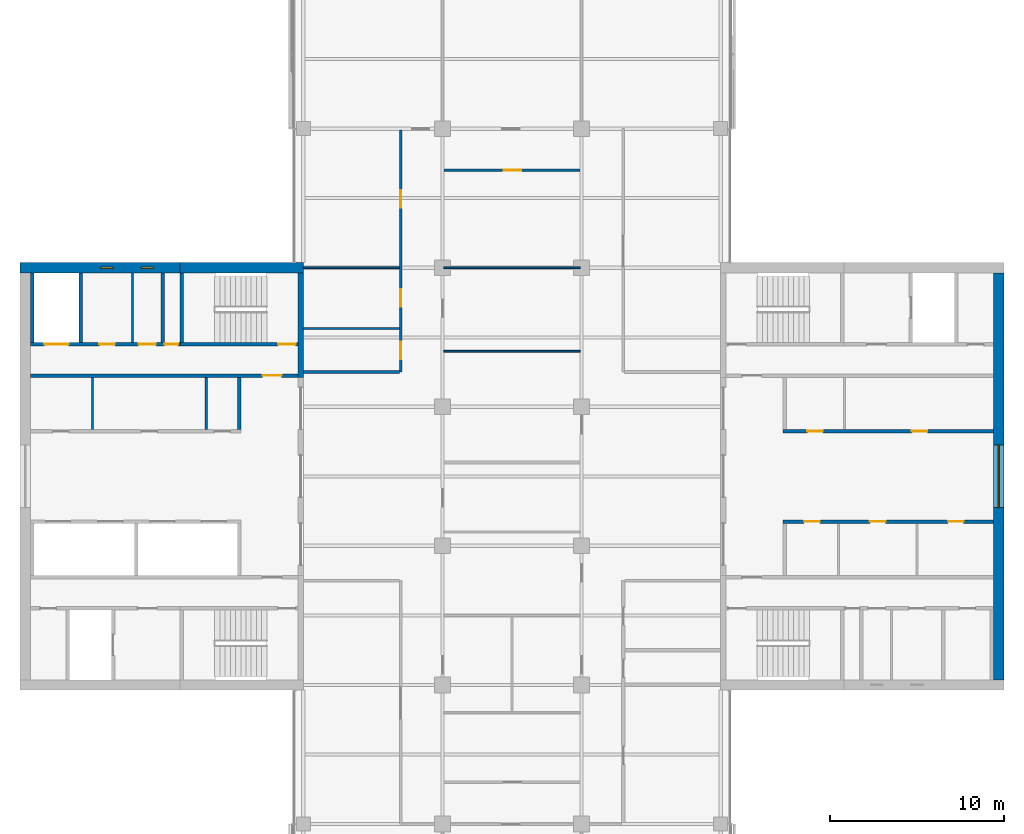
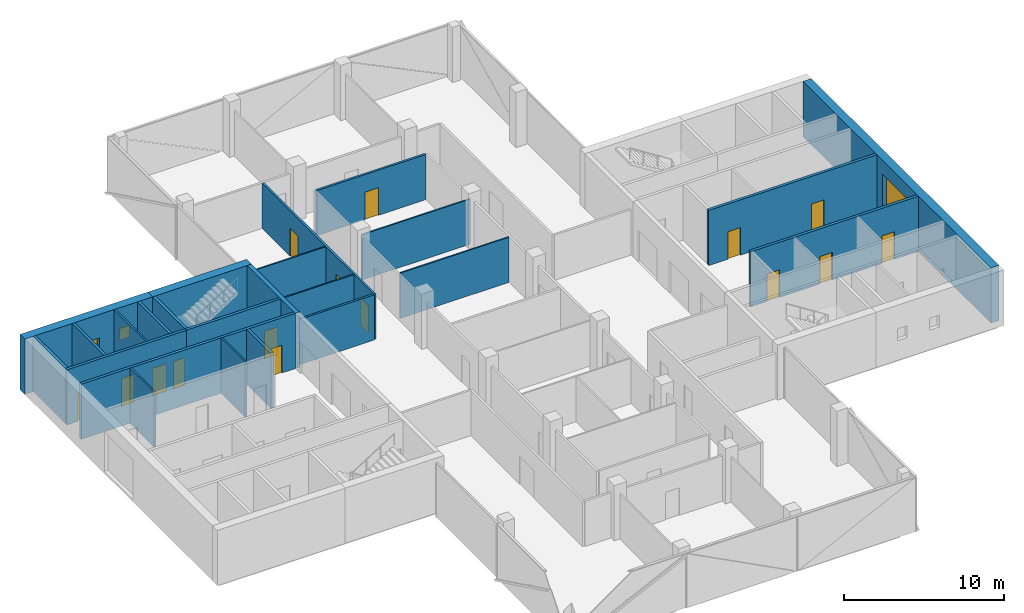
# One storey, part 11 of 15: 24 walls, 15 doors, 3 windows, 18 openings.
"""IFC4 building model written with IfcOpenShell, lengths in metres."""

from ifc_helpers import new_model, si_unit, direction, frame, frame_2d, origin, place, context, subcontext, project, spatial, rectangle, extrude, material, layer, layer_set, constituent, constituent_set, type_object, element, fill, save


model = new_model("IFC4")

# Units and contexts
model_context = context("Model", 3, precision=1e-05, world=origin(), true_north=direction((0.0, 1.0)))
body_context = subcontext(model_context, "Body", "Model", "MODEL_VIEW")
ifc_project = project(units=[si_unit("LENGTHUNIT", "METRE"), si_unit("AREAUNIT", "SQUARE_METRE"), si_unit("VOLUMEUNIT", "CUBIC_METRE"), si_unit("PLANEANGLEUNIT", "RADIAN"), si_unit("MASSUNIT", "GRAM", prefix="KILO")], contexts=[model_context])

# Site, building, storey
site_placement = place(None, origin())
site = spatial("IfcSite", under=ifc_project, at=site_placement, CompositionType="ELEMENT")
building_placement = place(site_placement, origin())
building = spatial("IfcBuilding", under=site, at=building_placement, Name="Crosswind Convention Tower", CompositionType="ELEMENT")
storey_placement = place(building_placement, frame((0.0, 0.0, 183.10009765625)))
storey = spatial("IfcBuildingStorey", under=building, at=storey_placement, Name="L38", CompositionType="ELEMENT", Elevation=183.10009765625)

# Walls
ifc_material_1 = material(Name="Concrete blockwork", Category="masonry")
ifc_layer_1 = layer(ifc_material_1, 0.199951171875)
ifc_layer_set_1 = layer_set([ifc_layer_1], Name="Blockwork partition wall 200")
wall_type_1 = type_object("IfcWallType", Name="Blockwork partition wall 200", PredefinedType="PARTITIONING", material=ifc_layer_set_1)
wall_1_placement = place(storey_placement, frame((104.89990234375, 111.699951171875, 0.0), z_axis=(0.0, 0.0, 1.0), x_axis=(0.0, -1.0, 0.0)))
element("IfcWall", 1, at=wall_1_placement, inside=storey, type_object=wall_type_1, Name="Wall MRSE W L38", PredefinedType="PARTITIONING", context=body_context, shape_type="SweptSolid", body=[
    extrude(rectangle(XDim=4.0, YDim=0.199951171875, at=frame_2d((2.0, 0.0))), origin(), (0.0, 0.0, 1.0), 4.199951171875),
])
ifc_material_2 = material(Name="Concrete C50/60", Category="concrete")
ifc_layer_2 = layer(ifc_material_2, 0.300048828125)
ifc_layer_set_2 = layer_set([ifc_layer_2], Name="Concrete C50/60")
wall_type_2 = type_object("IfcWallType", Name="Concrete inner core wall 300", PredefinedType="SHEAR", material=ifc_layer_set_2)
wall_2_placement = place(storey_placement, frame((112.85009765625, 111.699951171875, 0.0), z_axis=(0.0, 0.0, 1.0), x_axis=(0.0, -1.0, 0.0)))
element("IfcWall", 2, at=wall_2_placement, inside=storey, type_object=wall_type_2, Name="Wall EM W L38", PredefinedType="SHEAR", context=body_context, shape_type="SweptSolid", body=[
    extrude(rectangle(XDim=6.0, YDim=0.300048828125, at=frame_2d((3.0, 0.0))), origin(), (0.0, 0.0, 1.0), 4.199951171875),
])

# Wall, openings, doors
ifc_layer_3 = layer(ifc_material_2, 0.199951171875)
ifc_layer_set_3 = layer_set([ifc_layer_3], Name="Concrete C50/60")
wall_type_3 = type_object("IfcWallType", Name="Concrete shaft and stair wall 200", PredefinedType="SHEAR", material=ifc_layer_set_3)
wall_3_placement = place(storey_placement, frame((140.60009765625, 102.60009765625, 0.0), z_axis=(0.0, 0.0, 1.0), x_axis=(1.0, 0.0, 0.0)))
wall_3 = element("IfcWall", 3, at=wall_3_placement, inside=storey, type_object=wall_type_3, Name="Wall RPFRONT E L38", PredefinedType="SHEAR", context=body_context, shape_type="SweptSolid", body=[
    extrude(rectangle(XDim=12.099853515625, YDim=0.199951171875, at=frame_2d((6.0498046875, 0.0))), origin(), (0.0, 0.0, 1.0), 4.199951171875),
])
opening_1_placement = place(wall_3_placement, frame((1.384765625, 0.0, 0.0)))
opening_1 = element("IfcOpeningElement", 4, at=opening_1_placement, cuts=wall_3, Name="Opening D106", PredefinedType="OPENING", context=body_context, shape_type="SweptSolid", body=[
    extrude(rectangle(XDim=0.89990234375, YDim=2.10009765625, at=frame_2d((0.449951171875, 1.050048828125))), frame((0.0, 0.10986328125, 0.0), z_axis=(0.0, -1.0, 0.0), x_axis=(1.0, 0.0, 0.0)), (0.0, 0.0, 1.0), 0.219970703125),
])
opening_2_placement = place(wall_3_placement, frame((7.397216796875, 0.0, 0.0)))
opening_2 = element("IfcOpeningElement", 5, at=opening_2_placement, cuts=wall_3, Name="Opening D106", PredefinedType="OPENING", context=body_context, shape_type="SweptSolid", body=[
    extrude(rectangle(XDim=0.89990234375, YDim=2.10009765625, at=frame_2d((0.449951171875, 1.050048828125))), frame((0.0, 0.10986328125, 0.0), z_axis=(0.0, -1.0, 0.0), x_axis=(1.0, 0.0, 0.0)), (0.0, 0.0, 1.0), 0.219970703125),
])
ifc_material_3 = material(Name="Timber door", Category="wood")
door_type_1 = type_object("IfcDoorType", Name="Single leaf door 900x2100", OperationType="NOTDEFINED", PredefinedType="DOOR", material=ifc_material_3)
door_1_placement = place(opening_1_placement, origin())
door_1 = element("IfcDoor", 6, at=door_1_placement, inside=storey, type_object=door_type_1, Name="Door to tenant services room L38", ObjectType="D106", OperationType="SINGLE_SWING_RIGHT", OverallHeight=2.10009765625, OverallWidth=0.89990234375, PredefinedType="DOOR", context=body_context, shape_type="SweptSolid", body=[
    extrude(rectangle(XDim=0.89990234375, YDim=2.10009765625, at=frame_2d((0.449951171875, 1.050048828125))), frame((0.0, 0.02490234375, 0.0), z_axis=(0.0, -1.0, 0.0), x_axis=(1.0, 0.0, 0.0)), (0.0, 0.0, 1.0), 0.050048828125),
])
fill(opening_1, door_1)
door_2_placement = place(opening_2_placement, origin())
door_2 = element("IfcDoor", 7, at=door_2_placement, inside=storey, type_object=door_type_1, Name="Door to copy and print room L38", ObjectType="D106", OperationType="SINGLE_SWING_RIGHT", OverallHeight=2.10009765625, OverallWidth=0.89990234375, PredefinedType="DOOR", context=body_context, shape_type="SweptSolid", body=[
    extrude(rectangle(XDim=0.89990234375, YDim=2.10009765625, at=frame_2d((0.449951171875, 1.050048828125))), frame((0.0, 0.02490234375, 0.0), z_axis=(0.0, -1.0, 0.0), x_axis=(1.0, 0.0, 0.0)), (0.0, 0.0, 1.0), 0.050048828125),
])
fill(opening_2, door_2)

wall_4_placement = place(storey_placement, frame((140.60009765625, 97.39990234375, 0.0), z_axis=(0.0, 0.0, 1.0), x_axis=(1.0, 0.0, 0.0)))
wall_4 = element("IfcWall", 8, at=wall_4_placement, inside=storey, type_object=wall_type_3, Name="Wall RMFRONT E L38", PredefinedType="SHEAR", context=body_context, shape_type="SweptSolid", body=[
    extrude(rectangle(XDim=12.099853515625, YDim=0.199951171875, at=frame_2d((6.0498046875, 0.0))), origin(), (0.0, 0.0, 1.0), 4.199951171875),
])
opening_3_placement = place(wall_4_placement, frame((1.206298828125, 0.0, 0.0)))
opening_3 = element("IfcOpeningElement", 9, at=opening_3_placement, cuts=wall_4, Name="Opening D106", PredefinedType="OPENING", context=body_context, shape_type="SweptSolid", body=[
    extrude(rectangle(XDim=0.89990234375, YDim=2.10009765625, at=frame_2d((0.449951171875, 1.050048828125))), frame((0.0, 0.10986328125, 0.0), z_axis=(0.0, -1.0, 0.0), x_axis=(1.0, 0.0, 0.0)), (0.0, 0.0, 1.0), 0.219970703125),
])
opening_4_placement = place(wall_4_placement, frame((4.986083984375, 0.0, 0.0)))
opening_4 = element("IfcOpeningElement", 10, at=opening_4_placement, cuts=wall_4, Name="Opening D106", PredefinedType="OPENING", context=body_context, shape_type="SweptSolid", body=[
    extrude(rectangle(XDim=0.89990234375, YDim=2.10009765625, at=frame_2d((0.449951171875, 1.050048828125))), frame((0.0, 0.10986328125, 0.0), z_axis=(0.0, -1.0, 0.0), x_axis=(1.0, 0.0, 0.0)), (0.0, 0.0, 1.0), 0.219970703125),
])
opening_5_placement = place(wall_4_placement, frame((9.479736328125, 0.0, 0.0)))
opening_5 = element("IfcOpeningElement", 11, at=opening_5_placement, cuts=wall_4, Name="Opening D106", PredefinedType="OPENING", context=body_context, shape_type="SweptSolid", body=[
    extrude(rectangle(XDim=0.89990234375, YDim=2.10009765625, at=frame_2d((0.449951171875, 1.050048828125))), frame((0.0, 0.10986328125, 0.0), z_axis=(0.0, -1.0, 0.0), x_axis=(1.0, 0.0, 0.0)), (0.0, 0.0, 1.0), 0.219970703125),
])
door_3_placement = place(opening_3_placement, frame((0.89990234375, 0.0, 0.0), z_axis=(0.0, 0.0, 1.0), x_axis=(-1.0, 0.0, 0.0)))
door_3 = element("IfcDoor", 12, at=door_3_placement, inside=storey, type_object=door_type_1, Name="Door to copy and print room L38", ObjectType="D106", OperationType="SINGLE_SWING_LEFT", OverallHeight=2.10009765625, OverallWidth=0.89990234375, PredefinedType="DOOR", context=body_context, shape_type="SweptSolid", body=[
    extrude(rectangle(XDim=0.89990234375, YDim=2.10009765625, at=frame_2d((0.449951171875, 1.050048828125))), frame((0.0, 0.02490234375, 0.0), z_axis=(0.0, -1.0, 0.0), x_axis=(1.0, 0.0, 0.0)), (0.0, 0.0, 1.0), 0.050048828125),
])
fill(opening_3, door_3)
door_4_placement = place(opening_4_placement, frame((0.89990234375, 0.0, 0.0), z_axis=(0.0, 0.0, 1.0), x_axis=(-1.0, 0.0, 0.0)))
door_4 = element("IfcDoor", 13, at=door_4_placement, inside=storey, type_object=door_type_1, Name="Door to meeting room L38", ObjectType="D106", OperationType="SINGLE_SWING_LEFT", OverallHeight=2.10009765625, OverallWidth=0.89990234375, PredefinedType="DOOR", context=body_context, shape_type="SweptSolid", body=[
    extrude(rectangle(XDim=0.89990234375, YDim=2.10009765625, at=frame_2d((0.449951171875, 1.050048828125))), frame((0.0, 0.02490234375, 0.0), z_axis=(0.0, -1.0, 0.0), x_axis=(1.0, 0.0, 0.0)), (0.0, 0.0, 1.0), 0.050048828125),
])
fill(opening_4, door_4)
door_5_placement = place(opening_5_placement, frame((0.89990234375, 0.0, 0.0), z_axis=(0.0, 0.0, 1.0), x_axis=(-1.0, 0.0, 0.0)))
door_5 = element("IfcDoor", 14, at=door_5_placement, inside=storey, type_object=door_type_1, Name="Door to pantry L38", ObjectType="D106", OperationType="SINGLE_SWING_LEFT", OverallHeight=2.10009765625, OverallWidth=0.89990234375, PredefinedType="DOOR", context=body_context, shape_type="SweptSolid", body=[
    extrude(rectangle(XDim=0.89990234375, YDim=2.10009765625, at=frame_2d((0.449951171875, 1.050048828125))), frame((0.0, 0.02490234375, 0.0), z_axis=(0.0, -1.0, 0.0), x_axis=(1.0, 0.0, 0.0)), (0.0, 0.0, 1.0), 0.050048828125),
])
fill(opening_5, door_5)

# Wall
wall_5_placement = place(storey_placement, frame((109.300048828125, 105.699951171875, 0.0), z_axis=(0.0, 0.0, 1.0), x_axis=(0.0, -1.0, 0.0)))
element("IfcWall", 15, at=wall_5_placement, inside=storey, type_object=wall_type_3, Name="Wall RMEND W L38", PredefinedType="SHEAR", context=body_context, shape_type="SweptSolid", body=[
    extrude(rectangle(XDim=3.0, YDim=0.199951171875, at=frame_2d((1.5, 0.0))), origin(), (0.0, 0.0, 1.0), 4.199951171875),
])

# Wall, opening, door
wall_6_placement = place(storey_placement, frame((112.699951171875, 105.800048828125, 0.0), z_axis=(0.0, 0.0, 1.0), x_axis=(-1.0, 0.0, 0.0)))
wall_6 = element("IfcWall", 16, at=wall_6_placement, inside=storey, type_object=wall_type_3, Name="Wall HM W L38", PredefinedType="SHEAR", context=body_context, shape_type="SweptSolid", body=[
    extrude(rectangle(XDim=15.39990234375, YDim=0.199951171875, at=frame_2d((7.699951171875, 0.0))), origin(), (0.0, 0.0, 1.0), 4.199951171875),
])
opening_6_placement = place(wall_6_placement, frame((0.949951171875, 0.0, 0.0)))
opening_6 = element("IfcOpeningElement", 17, at=opening_6_placement, cuts=wall_6, Name="Opening D104", PredefinedType="OPENING", context=body_context, shape_type="SweptSolid", body=[
    extrude(rectangle(XDim=1.10009765625, YDim=2.10009765625, at=frame_2d((0.550048828125, 1.050048828125))), frame((0.0, 0.10986328125, 0.0), z_axis=(0.0, -1.0, 0.0), x_axis=(1.0, 0.0, 0.0)), (0.0, 0.0, 1.0), 0.219970703125),
])
ifc_material_4 = material(Name="Steel fire door", Category="steel")
door_type_2 = type_object("IfcDoorType", Name="Fire-rated single door 1100x2100", OperationType="NOTDEFINED", PredefinedType="DOOR", material=ifc_material_4)
door_6_placement = place(opening_6_placement, origin())
door_6 = element("IfcDoor", 18, at=door_6_placement, inside=storey, type_object=door_type_2, Name="Corridor door L38", ObjectType="D104", OperationType="SINGLE_SWING_LEFT", OverallHeight=2.10009765625, OverallWidth=1.10009765625, PredefinedType="DOOR", context=body_context, shape_type="SweptSolid", body=[
    extrude(rectangle(XDim=1.10009765625, YDim=2.10009765625, at=frame_2d((0.550048828125, 1.050048828125))), frame((0.0, 0.02490234375, 0.0), z_axis=(0.0, -1.0, 0.0), x_axis=(1.0, 0.0, 0.0)), (0.0, 0.0, 1.0), 0.050048828125),
])
fill(opening_6, door_6)

# Walls
for number, where, z_axis, x_axis, name in (
    (19, (106.0, 111.699951171875, 0.0), (0.0, 0.0, 1.0), (0.0, -1.0, 0.0), "Wall MSE W L38"),
    (20, (100.199951171875, 111.699951171875, 0.0), (0.0, 0.0, 1.0), (0.0, -1.0, 0.0), "Wall MFSW W L38"),
    (21, (97.39990234375, 111.699951171875, 0.0), (0.0, 0.0, 1.0), (0.0, -1.0, 0.0), "Wall MFSE W L38"),
):
    element("IfcWall", number, at=place(storey_placement, frame(where, z_axis=z_axis, x_axis=x_axis)), inside=storey, type_object=wall_type_3, Name=name, PredefinedType="SHEAR", context=body_context, shape_type="SweptSolid", body=[
        extrude(rectangle(XDim=4.0, YDim=0.199951171875, at=frame_2d((2.0, 0.0))), origin(), (0.0, 0.0, 1.0), 4.199951171875),
    ])

# Wall, opening, door
wall_7_placement = place(storey_placement, frame((112.699951171875, 107.60009765625, 0.0), z_axis=(0.0, 0.0, 1.0), x_axis=(-1.0, 0.0, 0.0)))
wall_7 = element("IfcWall", 22, at=wall_7_placement, inside=storey, type_object=wall_type_3, Name="Wall MCW W L38", PredefinedType="SHEAR", context=body_context, shape_type="SweptSolid", body=[
    extrude(rectangle(XDim=6.800048828125, YDim=0.199951171875, at=frame_2d((3.39990234375, 0.0))), origin(), (0.0, 0.0, 1.0), 4.199951171875),
])
opening_7_placement = place(wall_7_placement, frame((0.14990234375, 0.0, 0.0)))
opening_7 = element("IfcOpeningElement", 23, at=opening_7_placement, cuts=wall_7, Name="Opening D103", PredefinedType="OPENING", context=body_context, shape_type="SweptSolid", body=[
    extrude(rectangle(XDim=1.0, YDim=2.10009765625, at=frame_2d((0.5, 1.050048828125))), frame((0.0, 0.10986328125, 0.0), z_axis=(0.0, -1.0, 0.0), x_axis=(1.0, 0.0, 0.0)), (0.0, 0.0, 1.0), 0.219970703125),
])
door_type_3 = type_object("IfcDoorType", Name="Fire-rated single door 1000x2100", OperationType="NOTDEFINED", PredefinedType="DOOR", material=ifc_material_4)
door_7_placement = place(opening_7_placement, frame((1.0, 0.0, 0.0), z_axis=(0.0, 0.0, 1.0), x_axis=(-1.0, 0.0, 0.0)))
door_7 = element("IfcDoor", 24, at=door_7_placement, inside=storey, type_object=door_type_3, Name="Stair ST4 door L38", ObjectType="D103", OperationType="SINGLE_SWING_RIGHT", OverallHeight=2.10009765625, OverallWidth=1.0, PredefinedType="DOOR", context=body_context, shape_type="SweptSolid", body=[
    extrude(rectangle(XDim=1.0, YDim=2.10009765625, at=frame_2d((0.5, 1.050048828125))), frame((0.0, 0.02490234375, 0.0), z_axis=(0.0, -1.0, 0.0), x_axis=(1.0, 0.0, 0.0)), (0.0, 0.0, 1.0), 0.050048828125),
])
fill(opening_7, door_7)

# Wall, openings, doors
wall_8_placement = place(storey_placement, frame((105.89990234375, 107.60009765625, 0.0), z_axis=(0.0, 0.0, 1.0), x_axis=(-1.0, 0.0, 0.0)))
wall_8 = element("IfcWall", 25, at=wall_8_placement, inside=storey, type_object=wall_type_3, Name="Wall MCX W L38", PredefinedType="SHEAR", context=body_context, shape_type="SweptSolid", body=[
    extrude(rectangle(XDim=8.599853515625, YDim=0.199951171875, at=frame_2d((4.2998046875, 0.0))), origin(), (0.0, 0.0, 1.0), 4.199951171875),
])
opening_8_placement = place(wall_8_placement, frame((0.10009765625, 0.0, 0.0)))
opening_8 = element("IfcOpeningElement", 26, at=opening_8_placement, cuts=wall_8, Name="Opening D105", PredefinedType="OPENING", context=body_context, shape_type="SweptSolid", body=[
    extrude(rectangle(XDim=0.800048828125, YDim=2.10009765625, at=frame_2d((0.39990234375, 1.050048828125))), frame((0.0, 0.10986328125, 0.0), z_axis=(0.0, -1.0, 0.0), x_axis=(1.0, 0.0, 0.0)), (0.0, 0.0, 1.0), 0.219970703125),
])
opening_9_placement = place(wall_8_placement, frame((1.378662109375, 0.0, 0.0)))
opening_9 = element("IfcOpeningElement", 27, at=opening_9_placement, cuts=wall_8, Name="Opening D103", PredefinedType="OPENING", context=body_context, shape_type="SweptSolid", body=[
    extrude(rectangle(XDim=1.0, YDim=2.10009765625, at=frame_2d((0.5, 1.050048828125))), frame((0.0, 0.10986328125, 0.0), z_axis=(0.0, -1.0, 0.0), x_axis=(1.0, 0.0, 0.0)), (0.0, 0.0, 1.0), 0.219970703125),
])
opening_10_placement = place(wall_8_placement, frame((3.7412109375, 0.0, 0.0)))
opening_10 = element("IfcOpeningElement", 28, at=opening_10_placement, cuts=wall_8, Name="Opening D106", PredefinedType="OPENING", context=body_context, shape_type="SweptSolid", body=[
    extrude(rectangle(XDim=0.89990234375, YDim=2.10009765625, at=frame_2d((0.449951171875, 1.050048828125))), frame((0.0, 0.10986328125, 0.0), z_axis=(0.0, -1.0, 0.0), x_axis=(1.0, 0.0, 0.0)), (0.0, 0.0, 1.0), 0.219970703125),
])
opening_11_placement = place(wall_8_placement, frame((6.39990234375, 0.0, 0.0)))
opening_11 = element("IfcOpeningElement", 29, at=opening_11_placement, cuts=wall_8, Name="Opening LD2", PredefinedType="OPENING", context=body_context, shape_type="SweptSolid", body=[
    extrude(rectangle(XDim=1.39990234375, YDim=2.10009765625, at=frame_2d((0.699951171875, 1.050048828125))), frame((0.0, 0.10986328125, 0.0), z_axis=(0.0, -1.0, 0.0), x_axis=(1.0, 0.0, 0.0)), (0.0, 0.0, 1.0), 0.219970703125),
])
door_8_placement = place(opening_9_placement, frame((1.0, 0.0, 0.0), z_axis=(0.0, 0.0, 1.0), x_axis=(-1.0, 0.0, 0.0)))
door_8 = element("IfcDoor", 30, at=door_8_placement, inside=storey, type_object=door_type_3, Name="Door to accessible wc L38", ObjectType="D103", OperationType="SINGLE_SWING_LEFT", OverallHeight=2.10009765625, OverallWidth=1.0, PredefinedType="DOOR", context=body_context, shape_type="SweptSolid", body=[
    extrude(rectangle(XDim=1.0, YDim=2.10009765625, at=frame_2d((0.5, 1.050048828125))), frame((0.0, 0.02490234375, 0.0), z_axis=(0.0, -1.0, 0.0), x_axis=(1.0, 0.0, 0.0)), (0.0, 0.0, 1.0), 0.050048828125),
])
fill(opening_9, door_8)
ifc_material_5 = material(Name="Stainless steel", Category="steel")
door_type_4 = type_object("IfcDoorType", Name="Lift landing door 1400x2100", OperationType="DOUBLE_DOOR_SLIDING", PredefinedType="DOOR", material=ifc_material_5)
door_9_placement = place(opening_11_placement, origin())
door_9 = element("IfcDoor", 31, at=door_9_placement, inside=storey, type_object=door_type_4, Name="Landing door SV2 L38", ObjectType="LD2", OperationType="DOUBLE_DOOR_SLIDING", OverallHeight=2.10009765625, OverallWidth=1.39990234375, PredefinedType="DOOR", context=body_context, shape_type="SweptSolid", body=[
    extrude(rectangle(XDim=1.39990234375, YDim=2.10009765625, at=frame_2d((0.699951171875, 1.050048828125))), frame((0.0, 0.02490234375, 0.0), z_axis=(0.0, -1.0, 0.0), x_axis=(1.0, 0.0, 0.0)), (0.0, 0.0, 1.0), 0.050048828125),
])
fill(opening_11, door_9)
door_type_5 = type_object("IfcDoorType", Name="Riser access door 800x2100", OperationType="NOTDEFINED", PredefinedType="DOOR", material=ifc_material_4)
door_10_placement = place(opening_8_placement, frame((0.800048828125, 0.0, 0.0), z_axis=(0.0, 0.0, 1.0), x_axis=(-1.0, 0.0, 0.0)))
door_10 = element("IfcDoor", 32, at=door_10_placement, inside=storey, type_object=door_type_5, Name="Riser door L38", ObjectType="D105", OperationType="SINGLE_SWING_LEFT", OverallHeight=2.10009765625, OverallWidth=0.800048828125, PredefinedType="DOOR", context=body_context, shape_type="SweptSolid", body=[
    extrude(rectangle(XDim=0.800048828125, YDim=2.10009765625, at=frame_2d((0.39990234375, 1.050048828125))), frame((0.0, 0.02490234375, 0.0), z_axis=(0.0, -1.0, 0.0), x_axis=(1.0, 0.0, 0.0)), (0.0, 0.0, 1.0), 0.050048828125),
])
fill(opening_8, door_10)
door_11_placement = place(opening_10_placement, frame((0.89990234375, 0.0, 0.0), z_axis=(0.0, 0.0, 1.0), x_axis=(-1.0, 0.0, 0.0)))
door_11 = element("IfcDoor", 33, at=door_11_placement, inside=storey, type_object=door_type_1, Name="Door to wc L38", ObjectType="D106", OperationType="SINGLE_SWING_LEFT", OverallHeight=2.10009765625, OverallWidth=0.89990234375, PredefinedType="DOOR", context=body_context, shape_type="SweptSolid", body=[
    extrude(rectangle(XDim=0.89990234375, YDim=2.10009765625, at=frame_2d((0.449951171875, 1.050048828125))), frame((0.0, 0.02490234375, 0.0), z_axis=(0.0, -1.0, 0.0), x_axis=(1.0, 0.0, 0.0)), (0.0, 0.0, 1.0), 0.050048828125),
])
fill(opening_10, door_11)

# Walls
ifc_material_6 = material(Name="Gypsum plasterboard partition", Category="gypsum")
ifc_layer_4 = layer(ifc_material_6, 0.125)
ifc_layer_set_4 = layer_set([ifc_layer_4], Name="Drywall partition wall 125")
wall_type_4 = type_object("IfcWallType", Name="Drywall partition wall 125", PredefinedType="PARTITIONING", material=ifc_layer_set_4)
for number, where, z_axis, x_axis, name in (
    (34, (107.4150390625, 105.699951171875, 0.0), (0.0, 0.0, 1.0), (0.0, -1.0, 0.0), "Wall RMP1 W L38"),
    (35, (100.8701171875, 105.699951171875, 0.0), (0.0, 0.0, 1.0), (0.0, -1.0, 0.0), "Wall RMP2 W L38"),
):
    element("IfcWall", number, at=place(storey_placement, frame(where, z_axis=z_axis, x_axis=x_axis)), inside=storey, type_object=wall_type_4, Name=name, PredefinedType="PARTITIONING", context=body_context, shape_type="SweptSolid", body=[
        extrude(rectangle(XDim=3.0, YDim=0.125, at=frame_2d((1.5, 0.0))), origin(), (0.0, 0.0, 1.0), 4.199951171875),
    ])
wall_9_placement = place(storey_placement, frame((103.179931640625, 111.699951171875, 0.0), z_axis=(0.0, 0.0, 1.0), x_axis=(0.0, -1.0, 0.0)))
element("IfcWall", 36, at=wall_9_placement, inside=storey, type_object=wall_type_4, Name="Wall MWP1 W L38", PredefinedType="PARTITIONING", context=body_context, shape_type="SweptSolid", body=[
    extrude(rectangle(XDim=4.0, YDim=0.125, at=frame_2d((2.0, 0.0))), origin(), (0.0, 0.0, 1.0), 4.199951171875),
])
ifc_material_7 = material(Name="Plasterboard partition", Category="gypsum")
ifc_layer_5 = layer(ifc_material_7, 0.10009765625)
ifc_layer_set_5 = layer_set([ifc_layer_5], Name="PARTITION 100 METAL STUD")
wall_type_5 = type_object("IfcWallType", Name="PARTITION 100 METAL STUD", PredefinedType="PARTITIONING", material=ifc_layer_set_5)
wall_10_placement = place(storey_placement, frame((121.074951171875, 107.199951171875, 0.0), z_axis=(0.0, 0.0, 1.0), x_axis=(1.0, 0.0, 0.0)))
element("IfcWall", 37, at=wall_10_placement, inside=storey, type_object=wall_type_5, Name="Partition wall WT40", PredefinedType="PARTITIONING", context=body_context, shape_type="SweptSolid", body=[
    extrude(rectangle(XDim=7.85009765625, YDim=0.10009765625, at=frame_2d((3.925048828125, 0.0))), origin(), (0.0, 0.0, 1.0), 3.439697265625),
])
for number, where, z_axis, x_axis, name in (
    (38, (113.0, 108.5, 0.0), (0.0, 0.0, 1.0), (1.0, 0.0, 0.0), "Partition wall WT40"),
    (39, (113.0, 112.0, 0.0), (0.0, 0.0, 1.0), (1.0, 0.0, 0.0), "Partition wall WT40"),
):
    element("IfcWall", number, at=place(storey_placement, frame(where, z_axis=z_axis, x_axis=x_axis)), inside=storey, type_object=wall_type_5, Name=name, PredefinedType="PARTITIONING", context=body_context, shape_type="SweptSolid", body=[
        extrude(rectangle(XDim=5.52490234375, YDim=0.10009765625, at=frame_2d((2.762451171875, 0.0))), origin(), (0.0, 0.0, 1.0), 3.439697265625),
    ])
wall_11_placement = place(storey_placement, frame((121.074951171875, 112.0, 0.0), z_axis=(0.0, 0.0, 1.0), x_axis=(1.0, 0.0, 0.0)))
element("IfcWall", 40, at=wall_11_placement, inside=storey, type_object=wall_type_5, Name="Partition wall WT40", PredefinedType="PARTITIONING", context=body_context, shape_type="SweptSolid", body=[
    extrude(rectangle(XDim=7.85009765625, YDim=0.10009765625, at=frame_2d((3.925048828125, 0.0))), origin(), (0.0, 0.0, 1.0), 3.439697265625),
])

# Wall, openings, doors
ifc_material_8 = material(Name="Fire-board partition with mineral wool", Category="gypsum")
ifc_layer_6 = layer(ifc_material_8, 0.14990234375)
ifc_layer_set_6 = layer_set([ifc_layer_6], Name="TENANCY WALL 150 TWO-HOUR BOARD")
wall_type_6 = type_object("IfcWallType", Name="TENANCY WALL 150 TWO-HOUR BOARD", PredefinedType="PARTITIONING", material=ifc_layer_set_6)
wall_12_placement = place(storey_placement, frame((118.60009765625, 106.0, 0.0), z_axis=(0.0, 0.0, 1.0), x_axis=(0.0, 1.0, 0.0)))
wall_12 = element("IfcWall", 41, at=wall_12_placement, inside=storey, type_object=wall_type_6, Name="Tenancy wall WT41", PredefinedType="PARTITIONING", context=body_context, shape_type="SweptSolid", body=[
    extrude(rectangle(XDim=13.925048828125, YDim=0.14990234375, at=frame_2d((6.96240234375, 0.0))), origin(), (0.0, 0.0, 1.0), 3.439697265625),
])
opening_12_placement = place(wall_12_placement, frame((0.75, 0.0, 0.0)))
opening_12 = element("IfcOpeningElement", 42, at=opening_12_placement, cuts=wall_12, Name="Opening L38-54", PredefinedType="OPENING", context=body_context, shape_type="SweptSolid", body=[
    extrude(rectangle(XDim=1.0, YDim=2.10009765625, at=frame_2d((0.5, 1.050048828125))), frame((0.0, 0.0849609375, 0.0), z_axis=(0.0, -1.0, 0.0), x_axis=(1.0, 0.0, 0.0)), (0.0, 0.0, 1.0), 0.169921875),
])
opening_13_placement = place(wall_12_placement, frame((3.75, 0.0, 0.0)))
opening_13 = element("IfcOpeningElement", 43, at=opening_13_placement, cuts=wall_12, Name="Opening L38-55", PredefinedType="OPENING", context=body_context, shape_type="SweptSolid", body=[
    extrude(rectangle(XDim=1.0, YDim=2.10009765625, at=frame_2d((0.5, 1.050048828125))), frame((0.0, 0.0849609375, 0.0), z_axis=(0.0, -1.0, 0.0), x_axis=(1.0, 0.0, 0.0)), (0.0, 0.0, 1.0), 0.169921875),
])
opening_14_placement = place(wall_12_placement, frame((9.449951171875, 0.0, 0.0)))
opening_14 = element("IfcOpeningElement", 44, at=opening_14_placement, cuts=wall_12, Name="Opening L38-56", PredefinedType="OPENING", context=body_context, shape_type="SweptSolid", body=[
    extrude(rectangle(XDim=1.0, YDim=2.10009765625, at=frame_2d((0.5, 1.050048828125))), frame((0.0, 0.0849609375, 0.0), z_axis=(0.0, -1.0, 0.0), x_axis=(1.0, 0.0, 0.0)), (0.0, 0.0, 1.0), 0.169921875),
])
ifc_material_9 = material(Name="Timber fire door", Category="wood")
door_type_6 = type_object("IfcDoorType", Name="TENANCY ENTRANCE DOOR 1000X2100 FD30S", OperationType="NOTDEFINED", PredefinedType="DOOR", material=ifc_material_9)
door_12_placement = place(opening_12_placement, origin())
door_12 = element("IfcDoor", 45, at=door_12_placement, inside=storey, type_object=door_type_6, Name="Door L38-54", ObjectType="D41", OperationType="SINGLE_SWING_RIGHT", OverallHeight=2.10009765625, OverallWidth=1.0, PredefinedType="DOOR", context=body_context, shape_type="SweptSolid", body=[
    extrude(rectangle(XDim=1.0, YDim=2.10009765625, at=frame_2d((0.5, 1.050048828125))), frame((0.0, 0.02490234375, 0.0), z_axis=(0.0, -1.0, 0.0), x_axis=(1.0, 0.0, 0.0)), (0.0, 0.0, 1.0), 0.050048828125),
])
fill(opening_12, door_12)
door_13_placement = place(opening_13_placement, origin())
door_13 = element("IfcDoor", 46, at=door_13_placement, inside=storey, type_object=door_type_6, Name="Door L38-55", ObjectType="D41", OperationType="SINGLE_SWING_RIGHT", OverallHeight=2.10009765625, OverallWidth=1.0, PredefinedType="DOOR", context=body_context, shape_type="SweptSolid", body=[
    extrude(rectangle(XDim=1.0, YDim=2.10009765625, at=frame_2d((0.5, 1.050048828125))), frame((0.0, 0.02490234375, 0.0), z_axis=(0.0, -1.0, 0.0), x_axis=(1.0, 0.0, 0.0)), (0.0, 0.0, 1.0), 0.050048828125),
])
fill(opening_13, door_13)
door_14_placement = place(opening_14_placement, origin())
door_14 = element("IfcDoor", 47, at=door_14_placement, inside=storey, type_object=door_type_6, Name="Door L38-56", ObjectType="D41", OperationType="SINGLE_SWING_LEFT", OverallHeight=2.10009765625, OverallWidth=1.0, PredefinedType="DOOR", context=body_context, shape_type="SweptSolid", body=[
    extrude(rectangle(XDim=1.0, YDim=2.10009765625, at=frame_2d((0.5, 1.050048828125))), frame((0.0, 0.02490234375, 0.0), z_axis=(0.0, -1.0, 0.0), x_axis=(1.0, 0.0, 0.0)), (0.0, 0.0, 1.0), 0.050048828125),
])
fill(opening_14, door_14)

# Wall
wall_13_placement = place(storey_placement, frame((113.0, 106.0, 0.0), z_axis=(0.0, 0.0, 1.0), x_axis=(1.0, 0.0, 0.0)))
element("IfcWall", 48, at=wall_13_placement, inside=storey, type_object=wall_type_6, Name="Tenancy wall WT41", PredefinedType="PARTITIONING", context=body_context, shape_type="SweptSolid", body=[
    extrude(rectangle(XDim=5.52490234375, YDim=0.14990234375, at=frame_2d((2.762451171875, 0.0))), origin(), (0.0, 0.0, 1.0), 3.439697265625),
])

# Wall, opening, door
wall_14_placement = place(storey_placement, frame((121.074951171875, 117.60009765625, 0.0), z_axis=(0.0, 0.0, 1.0), x_axis=(1.0, 0.0, 0.0)))
wall_14 = element("IfcWall", 49, at=wall_14_placement, inside=storey, type_object=wall_type_6, Name="Tenancy wall WT41", PredefinedType="PARTITIONING", context=body_context, shape_type="SweptSolid", body=[
    extrude(rectangle(XDim=7.85009765625, YDim=0.14990234375, at=frame_2d((3.925048828125, 0.0))), origin(), (0.0, 0.0, 1.0), 3.439697265625),
])
opening_15_placement = place(wall_14_placement, frame((3.449951171875, 0.0, 0.0)))
opening_15 = element("IfcOpeningElement", 50, at=opening_15_placement, cuts=wall_14, Name="Opening L38-68", PredefinedType="OPENING", context=body_context, shape_type="SweptSolid", body=[
    extrude(rectangle(XDim=1.0, YDim=2.10009765625, at=frame_2d((0.5, 1.050048828125))), frame((0.0, 0.0849609375, 0.0), z_axis=(0.0, -1.0, 0.0), x_axis=(1.0, 0.0, 0.0)), (0.0, 0.0, 1.0), 0.169921875),
])
door_15_placement = place(opening_15_placement, frame((1.0, 0.0, 0.0), z_axis=(0.0, 0.0, 1.0), x_axis=(-1.0, 0.0, 0.0)))
door_15 = element("IfcDoor", 51, at=door_15_placement, inside=storey, type_object=door_type_6, Name="Door L38-68", ObjectType="D41", OperationType="SINGLE_SWING_LEFT", OverallHeight=2.10009765625, OverallWidth=1.0, PredefinedType="DOOR", context=body_context, shape_type="SweptSolid", body=[
    extrude(rectangle(XDim=1.0, YDim=2.10009765625, at=frame_2d((0.5, 1.050048828125))), frame((0.0, 0.02490234375, 0.0), z_axis=(0.0, -1.0, 0.0), x_axis=(1.0, 0.0, 0.0)), (0.0, 0.0, 1.0), 0.050048828125),
])
fill(opening_15, door_15)

# Wall, opening, window
ifc_material_10 = material(Name="Concrete C60/75", Category="concrete")
ifc_constituent_1 = constituent(ifc_material_10, Name="Structure")
ifc_material_11 = material(Name="Terracotta rainscreen", Category="ceramic")
ifc_constituent_2 = constituent(ifc_material_11, Name="Facing")
ifc_constituent_set = constituent_set(constituents=[ifc_constituent_1, ifc_constituent_2], Name="Concrete C60/75, Terracotta rainscreen")
wall_type_7 = type_object("IfcWallType", Name="Terracotta rainscreen on concrete core wall 600", PredefinedType="SHEAR", material=ifc_constituent_set)
wall_15_placement = place(storey_placement, frame((153.0, 88.300048828125, 0.0), z_axis=(0.0, 0.0, 1.0), x_axis=(0.0, 1.0, 0.0)))
wall_15 = element("IfcWall", 52, at=wall_15_placement, inside=storey, type_object=wall_type_7, Name="Wall O E L38", PredefinedType="SHEAR", context=body_context, shape_type="SweptSolid", body=[
    extrude(rectangle(XDim=23.39990234375, YDim=0.60009765625, at=frame_2d((11.699951171875, 0.0))), origin(), (0.0, 0.0, 1.0), 4.199951171875),
])
opening_16_placement = place(wall_15_placement, frame((9.89990234375, 0.0, 0.14990234375)))
opening_16 = element("IfcOpeningElement", 53, at=opening_16_placement, cuts=wall_15, Name="Opening W1", PredefinedType="OPENING", context=body_context, shape_type="SweptSolid", body=[
    extrude(rectangle(XDim=3.60009765625, YDim=3.0, at=frame_2d((1.800048828125, 1.5))), frame((0.0, 0.31005859375, 0.0), z_axis=(0.0, -1.0, 0.0), x_axis=(1.0, 0.0, 0.0)), (0.0, 0.0, 1.0), 0.6201171875),
])
ifc_material_12 = material(Name="Clear laminated glass in aluminium frame", Category="aluminium")
window_type_1 = type_object("IfcWindowType", Name="Lobby end window 3600x3000", PartitioningType="SINGLE_PANEL", PredefinedType="WINDOW", material=ifc_material_12)
window_1_placement = place(opening_16_placement, origin())
window_1 = element("IfcWindow", 54, at=window_1_placement, inside=storey, type_object=window_type_1, Name="Lobby end window L38", ObjectType="W1", OverallHeight=3.0, OverallWidth=3.60009765625, PartitioningType="SINGLE_PANEL", PredefinedType="WINDOW", context=body_context, shape_type="SweptSolid", body=[
    extrude(rectangle(XDim=3.60009765625, YDim=3.0, at=frame_2d((1.800048828125, 1.5))), frame((0.0, 0.030029296875, 0.0), z_axis=(0.0, -1.0, 0.0), x_axis=(1.0, 0.0, 0.0)), (0.0, 0.0, 1.0), 0.06005859375),
])
fill(opening_16, window_1)

# Wall
wall_16_placement = place(storey_placement, frame((113.0, 112.0, 0.0), z_axis=(0.0, 0.0, 1.0), x_axis=(-1.0, 0.0, 0.0)))
element("IfcWall", 55, at=wall_16_placement, inside=storey, type_object=wall_type_7, Name="Wall S1 W L38", PredefinedType="SHEAR", context=body_context, shape_type="SweptSolid", body=[
    extrude(rectangle(XDim=7.10009765625, YDim=0.60009765625, at=frame_2d((3.550048828125, 0.0))), origin(), (0.0, 0.0, 1.0), 4.199951171875),
])

# Wall, openings, windows
wall_17_placement = place(storey_placement, frame((105.89990234375, 112.0, 0.0), z_axis=(0.0, 0.0, 1.0), x_axis=(-1.0, 0.0, 0.0)))
wall_17 = element("IfcWall", 56, at=wall_17_placement, inside=storey, type_object=wall_type_7, Name="Wall S2 W L38", PredefinedType="SHEAR", context=body_context, shape_type="SweptSolid", body=[
    extrude(rectangle(XDim=9.199951171875, YDim=0.60009765625, at=frame_2d((4.60009765625, 0.0))), origin(), (0.0, 0.0, 1.0), 4.199951171875),
])
opening_17_placement = place(wall_17_placement, frame((1.52880859375, 0.0, 1.5)))
opening_17 = element("IfcOpeningElement", 57, at=opening_17_placement, cuts=wall_17, Name="Opening W2", PredefinedType="OPENING", context=body_context, shape_type="SweptSolid", body=[
    extrude(rectangle(XDim=0.699951171875, YDim=0.89990234375, at=frame_2d((0.35009765625, 0.449951171875))), frame((0.0, 0.31005859375, 0.0), z_axis=(0.0, -1.0, 0.0), x_axis=(1.0, 0.0, 0.0)), (0.0, 0.0, 1.0), 0.6201171875),
])
opening_18_placement = place(wall_17_placement, frame((3.84130859375, 0.0, 1.5)))
opening_18 = element("IfcOpeningElement", 58, at=opening_18_placement, cuts=wall_17, Name="Opening W2", PredefinedType="OPENING", context=body_context, shape_type="SweptSolid", body=[
    extrude(rectangle(XDim=0.699951171875, YDim=0.89990234375, at=frame_2d((0.35009765625, 0.449951171875))), frame((0.0, 0.31005859375, 0.0), z_axis=(0.0, -1.0, 0.0), x_axis=(1.0, 0.0, 0.0)), (0.0, 0.0, 1.0), 0.6201171875),
])
ifc_material_13 = material(Name="Obscure glass in aluminium frame", Category="aluminium")
window_type_2 = type_object("IfcWindowType", Name="WC window 700x900", PartitioningType="SINGLE_PANEL", PredefinedType="WINDOW", material=ifc_material_13)
window_2_placement = place(opening_17_placement, origin())
window_2 = element("IfcWindow", 59, at=window_2_placement, inside=storey, type_object=window_type_2, Name="WC window L38", ObjectType="W2", OverallHeight=0.89990234375, OverallWidth=0.699951171875, PartitioningType="SINGLE_PANEL", PredefinedType="WINDOW", context=body_context, shape_type="SweptSolid", body=[
    extrude(rectangle(XDim=0.699951171875, YDim=0.89990234375, at=frame_2d((0.35009765625, 0.449951171875))), frame((0.0, 0.030029296875, 0.0), z_axis=(0.0, -1.0, 0.0), x_axis=(1.0, 0.0, 0.0)), (0.0, 0.0, 1.0), 0.06005859375),
])
fill(opening_17, window_2)
window_3_placement = place(opening_18_placement, origin())
window_3 = element("IfcWindow", 60, at=window_3_placement, inside=storey, type_object=window_type_2, Name="WC window L38", ObjectType="W2", OverallHeight=0.89990234375, OverallWidth=0.699951171875, PartitioningType="SINGLE_PANEL", PredefinedType="WINDOW", context=body_context, shape_type="SweptSolid", body=[
    extrude(rectangle(XDim=0.699951171875, YDim=0.89990234375, at=frame_2d((0.35009765625, 0.449951171875))), frame((0.0, 0.030029296875, 0.0), z_axis=(0.0, -1.0, 0.0), x_axis=(1.0, 0.0, 0.0)), (0.0, 0.0, 1.0), 0.06005859375),
])
fill(opening_18, window_3)

save(model, "model.ifc")
